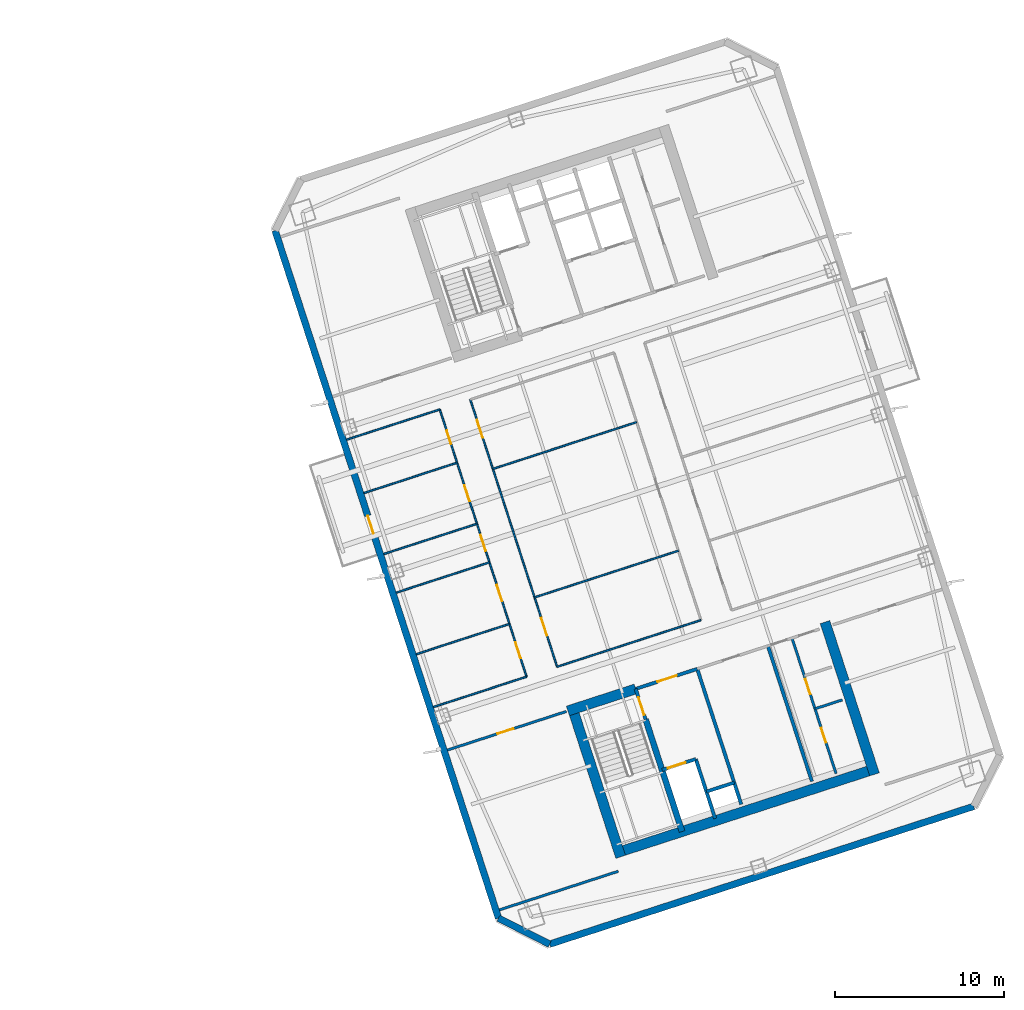
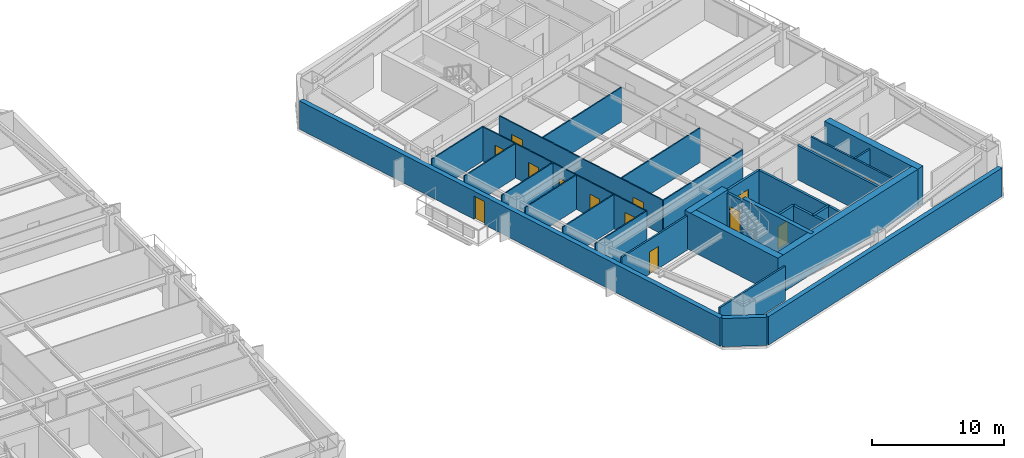
# One storey, part 8 of 17: 30 walls, 14 doors, 14 openings.
"""IFC4 building model written with IfcOpenShell, lengths in metres."""

from ifc_helpers import new_model, si_unit, direction, frame, frame_2d, origin, place, context, subcontext, project, spatial, rectangle, extrude, material, layer, layer_set, type_object, element, fill, save


model = new_model("IFC4")

# Units and contexts
model_context = context("Model", 3, precision=1e-05, world=origin(), true_north=direction((0.0, 1.0)))
body_context = subcontext(model_context, "Body", "Model", "MODEL_VIEW")
ifc_project = project(units=[si_unit("LENGTHUNIT", "METRE"), si_unit("AREAUNIT", "SQUARE_METRE"), si_unit("VOLUMEUNIT", "CUBIC_METRE"), si_unit("PLANEANGLEUNIT", "RADIAN"), si_unit("MASSUNIT", "GRAM", prefix="KILO")], contexts=[model_context])

# Site, building, storey
site_placement = place(None, origin())
site = spatial("IfcSite", under=ifc_project, at=site_placement, CompositionType="ELEMENT")
building_placement = place(site_placement, origin())
building = spatial("IfcBuilding", under=site, at=building_placement, Name="Qiaolan Cultural Towers", CompositionType="ELEMENT")
storey_placement = place(building_placement, frame((0.0, 0.0, 142.60009765625)))
storey = spatial("IfcBuildingStorey", under=building, at=storey_placement, Name="L37", CompositionType="ELEMENT", Elevation=142.60009765625)

# Walls
ifc_material_1 = material(Name="Concrete C50", Category="concrete")
ifc_layer_1 = layer(ifc_material_1, 0.35009765625)
ifc_layer_set_1 = layer_set([ifc_layer_1], Name="Concrete C50")
wall_type_1 = type_object("IfcWallType", Name="WL-CORE-350", PredefinedType="SHEAR", material=ifc_layer_set_1)
wall_1_placement = place(storey_placement, frame((90.486328125, 20.59423828125, 0.0), z_axis=(0.0, 0.0, 1.0), x_axis=(0.309020428229, -0.951055400562, 0.0)))
element("IfcWall", 1, at=wall_1_placement, inside=storey, type_object=wall_type_1, Name="L37 T2-CS Stair Core Dividing Web", PredefinedType="SHEAR", context=body_context, shape_type="SweptSolid", body=[
    extrude(rectangle(XDim=6.97998046875, YDim=0.35009765625, at=frame_2d((3.489990234375, 0.0))), origin(), (0.0, 0.0, 1.0), 3.449951171875),
])
ifc_material_2 = material(Name="Concrete C55", Category="concrete")
ifc_layer_2 = layer(ifc_material_2, 0.60009765625)
ifc_layer_set_2 = layer_set([ifc_layer_2], Name="Concrete C55")
wall_type_2 = type_object("IfcWallType", Name="WL-CORE-600", PredefinedType="SHEAR", material=ifc_layer_set_2)
wall_2_placement = place(storey_placement, frame((88.6298828125, 12.65185546875, 0.0), z_axis=(0.0, 0.0, 1.0), x_axis=(0.95105714907, 0.309015046886, 0.0)))
element("IfcWall", 2, at=wall_2_placement, inside=storey, type_object=wall_type_2, Name="L37 T2-CS Outer Core Shear Wall", PredefinedType="SHEAR", context=body_context, shape_type="SweptSolid", body=[
    extrude(rectangle(XDim=16.400146484375, YDim=0.60009765625, at=frame_2d((8.2001953125, 0.0))), origin(), (0.0, 0.0, 1.0), 3.449951171875),
])
wall_3_placement = place(storey_placement, frame((86.078369140625, 21.47509765625, 0.0), z_axis=(0.0, 0.0, 1.0), x_axis=(0.309017938678, -0.951056209472, 0.0)))
element("IfcWall", 3, at=wall_3_placement, inside=storey, type_object=wall_type_2, Name="L37 T2-CS West Core Shear Wall", PredefinedType="SHEAR", context=body_context, shape_type="SweptSolid", body=[
    extrude(rectangle(XDim=9.479736328125, YDim=0.60009765625, at=frame_2d((4.73974609375, 0.0))), origin(), (0.0, 0.0, 1.0), 3.449951171875),
])
wall_4_placement = place(storey_placement, frame((101.105224609375, 26.357666015625, 0.0), z_axis=(0.0, 0.0, 1.0), x_axis=(0.309010370028, -0.95105866865, 0.0)))
element("IfcWall", 4, at=wall_4_placement, inside=storey, type_object=wall_type_2, Name="L37 T2-CS East Core Shear Wall", PredefinedType="SHEAR", context=body_context, shape_type="SweptSolid", body=[
    extrude(rectangle(XDim=9.47998046875, YDim=0.60009765625, at=frame_2d((4.739990234375, 0.0))), origin(), (0.0, 0.0, 1.0), 3.449951171875),
])
wall_5_placement = place(storey_placement, frame((85.8857421875, 21.09716796875, 0.0), z_axis=(0.0, 0.0, 1.0), x_axis=(0.951068073652, 0.308981422225, 0.0)))
element("IfcWall", 5, at=wall_5_placement, inside=storey, type_object=wall_type_2, Name="L37 T2-CS Stair Front Shear Wall", PredefinedType="SHEAR", context=body_context, shape_type="SweptSolid", body=[
    extrude(rectangle(XDim=4.22021484375, YDim=0.60009765625, at=frame_2d((2.110107421875, 0.0))), origin(), (0.0, 0.0, 1.0), 3.449951171875),
])

# Wall, opening, door
ifc_material_3 = material(Name="Precast Concrete C50 Honed Stone Pier", Category="masonry")
ifc_layer_3 = layer(ifc_material_3, 0.39990234375)
ifc_layer_set_3 = layer_set([ifc_layer_3], Name="Precast Concrete C50 Honed Stone Pier")
wall_type_3 = type_object("IfcWallType", Name="WL-EXT-PIER-400", PredefinedType="SOLIDWALL", material=ifc_layer_set_3)
wall_6_placement = place(storey_placement, frame((81.7763671875, 8.82666015625, 0.0), z_axis=(0.0, 0.0, 1.0), x_axis=(-0.309014228706, 0.951057414911, 0.0)))
wall_6 = element("IfcWall", 6, at=wall_6_placement, inside=storey, type_object=wall_type_3, Name="L37 East Tower Precast Pier Facade Wall F1", PredefinedType="SOLIDWALL", context=body_context, shape_type="SweptSolid", body=[
    extrude(rectangle(XDim=42.800048828125, YDim=0.39990234375, at=frame_2d((21.39990234375, 0.0))), origin(), (0.0, 0.0, 1.0), 2.60986328125),
])
opening_1_placement = place(wall_6_placement, frame((23.949951171875, 0.0, 0.0)))
opening_1 = element("IfcOpeningElement", 7, at=opening_1_placement, cuts=wall_6, Name="Opening BD-01", PredefinedType="OPENING", context=body_context, shape_type="SweptSolid", body=[
    extrude(rectangle(XDim=1.10009765625, YDim=2.14990234375, at=frame_2d((0.550048828125, 1.074951171875))), frame((0.0, 0.2099609375, 0.0), z_axis=(0.0, -1.0, 0.0), x_axis=(1.0, 0.0, 0.0)), (0.0, 0.0, 1.0), 0.419921875),
])
ifc_material_4 = material(Name="Thermally Broken Aluminium Glazed Terrace Door", Category="aluminium")
door_type_1 = type_object("IfcDoorType", Name="DR-BAL-1100", OperationType="NOTDEFINED", PredefinedType="DOOR", material=ifc_material_4)
door_1_placement = place(opening_1_placement, origin())
door_1 = element("IfcDoor", 8, at=door_1_placement, inside=storey, type_object=door_type_1, Name="L37 T2 West Tree Balcony Door", OperationType="SINGLE_SWING_LEFT", OverallHeight=2.14990234375, OverallWidth=1.10009765625, PredefinedType="DOOR", context=body_context, shape_type="SweptSolid", body=[
    extrude(rectangle(XDim=1.10009765625, YDim=2.14990234375, at=frame_2d((0.550048828125, 1.074951171875))), frame((0.0, 0.02490234375, 0.0), z_axis=(0.0, -1.0, 0.0), x_axis=(1.0, 0.0, 0.0)), (0.0, 0.0, 1.0), 0.050048828125),
])
fill(opening_1, door_1)

# Walls
wall_7_placement = place(storey_placement, frame((109.908447265625, 15.44384765625, 0.0), z_axis=(0.0, 0.0, 1.0), x_axis=(-0.951057580055, -0.30901372044, 0.0)))
element("IfcWall", 9, at=wall_7_placement, inside=storey, type_object=wall_type_3, Name="L37 East Tower Precast Pier Facade Wall F7", PredefinedType="SOLIDWALL", context=body_context, shape_type="SweptSolid", body=[
    extrude(rectangle(XDim=26.39990234375, YDim=0.39990234375, at=frame_2d((13.199951171875, 0.0))), origin(), (0.0, 0.0, 1.0), 2.60986328125),
])
wall_8_placement = place(storey_placement, frame((84.800537109375, 7.285888671875, 0.0), z_axis=(0.0, 0.0, 1.0), x_axis=(-0.891020832027, 0.453962417932, 0.0)))
element("IfcWall", 10, at=wall_8_placement, inside=storey, type_object=wall_type_3, Name="L37 East Tower Precast Pier Facade Wall F8", PredefinedType="SOLIDWALL", context=body_context, shape_type="SweptSolid", body=[
    extrude(rectangle(XDim=3.39404296875, YDim=0.39990234375, at=frame_2d((1.697021484375, 0.0))), origin(), (0.0, 0.0, 1.0), 2.60986328125),
])

# Wall, opening, door
ifc_material_5 = material(Name="Concrete C35 Fire Wall", Category="concrete")
ifc_layer_4 = layer(ifc_material_5, 0.199951171875)
ifc_layer_set_4 = layer_set([ifc_layer_4], Name="Concrete C35 Fire Wall")
wall_type_4 = type_object("IfcWallType", Name="WL-FIRE-200", PredefinedType="PARTITIONING", material=ifc_layer_set_4)
wall_9_placement = place(storey_placement, frame((89.8994140625, 22.401123046875, 0.0), z_axis=(0.0, 0.0, 1.0), x_axis=(0.308932062672, -0.951084108086, 0.0)))
wall_9 = element("IfcWall", 11, at=wall_9_placement, inside=storey, type_object=wall_type_4, Name="L37 T2-CS Smokeproof Stair Entry Wall", PredefinedType="PARTITIONING", context=body_context, shape_type="SweptSolid", body=[
    extrude(rectangle(XDim=1.89990234375, YDim=0.199951171875, at=frame_2d((0.949951171875, 0.0))), origin(), (0.0, 0.0, 1.0), 3.1748046875),
])
opening_2_placement = place(wall_9_placement, frame((0.52001953125, 0.0, 0.0)))
opening_2 = element("IfcOpeningElement", 12, at=opening_2_placement, cuts=wall_9, Name="Opening FD-04", PredefinedType="OPENING", context=body_context, shape_type="SweptSolid", body=[
    extrude(rectangle(XDim=1.10009765625, YDim=2.050048828125, at=frame_2d((0.550048828125, 1.02490234375))), frame((0.0, 0.10986328125, 0.0), z_axis=(0.0, -1.0, 0.0), x_axis=(1.0, 0.0, 0.0)), (0.0, 0.0, 1.0), 0.219970703125),
])
ifc_material_6 = material(Name="Galvanized Steel Command Fire Door", Category="steel")
door_type_2 = type_object("IfcDoorType", Name="DR-FD90-1100", OperationType="NOTDEFINED", PredefinedType="DOOR", material=ifc_material_6)
door_2_placement = place(opening_2_placement, origin())
door_2 = element("IfcDoor", 13, at=door_2_placement, inside=storey, type_object=door_type_2, Name="L37 ST-E1 Smokeproof Stair Fire Door", OperationType="SINGLE_SWING_LEFT", OverallHeight=2.050048828125, OverallWidth=1.10009765625, PredefinedType="DOOR", context=body_context, shape_type="SweptSolid", body=[
    extrude(rectangle(XDim=1.10009765625, YDim=2.050048828125, at=frame_2d((0.550048828125, 1.02490234375))), frame((0.0, 0.02490234375, 0.0), z_axis=(0.0, -1.0, 0.0), x_axis=(1.0, 0.0, 0.0)), (0.0, 0.0, 1.0), 0.050048828125),
])
fill(opening_2, door_2)

# Wall
wall_10_placement = place(storey_placement, frame((93.541748046875, 23.584716796875, 0.0), z_axis=(0.0, 0.0, 1.0), x_axis=(0.309042196757, -0.951048327176, 0.0)))
element("IfcWall", 14, at=wall_10_placement, inside=storey, type_object=wall_type_4, Name="L37 T2-CS Firefighting Zone Wall", PredefinedType="PARTITIONING", context=body_context, shape_type="SweptSolid", body=[
    extrude(rectangle(XDim=8.429931640625, YDim=0.199951171875, at=frame_2d((4.21484375, 0.0))), origin(), (0.0, 0.0, 1.0), 3.1748046875),
])

# Wall, opening, door
wall_11_placement = place(storey_placement, frame((89.8994140625, 22.401123046875, 0.0), z_axis=(0.0, 0.0, 1.0), x_axis=(0.951046716504, 0.309047153403, 0.0)))
wall_11 = element("IfcWall", 15, at=wall_11_placement, inside=storey, type_object=wall_type_4, Name="L37 T2-CS Firefighting Lobby Front Wall", PredefinedType="PARTITIONING", context=body_context, shape_type="SweptSolid", body=[
    extrude(rectangle(XDim=3.829833984375, YDim=0.199951171875, at=frame_2d((1.9150390625, 0.0))), origin(), (0.0, 0.0, 1.0), 3.1748046875),
])
opening_3_placement = place(wall_11_placement, frame((1.35009765625, 0.0, 0.0)))
opening_3 = element("IfcOpeningElement", 16, at=opening_3_placement, cuts=wall_11, Name="Opening FD-03", PredefinedType="OPENING", context=body_context, shape_type="SweptSolid", body=[
    extrude(rectangle(XDim=1.199951171875, YDim=2.050048828125, at=frame_2d((0.60009765625, 1.02490234375))), frame((0.0, 0.10986328125, 0.0), z_axis=(0.0, -1.0, 0.0), x_axis=(1.0, 0.0, 0.0)), (0.0, 0.0, 1.0), 0.219970703125),
])
ifc_material_7 = material(Name="Galvanized Steel Smokeproof Lobby Fire Door", Category="steel")
door_type_3 = type_object("IfcDoorType", Name="DR-FD90-1200", OperationType="NOTDEFINED", PredefinedType="DOOR", material=ifc_material_7)
door_3_placement = place(opening_3_placement, origin())
door_3 = element("IfcDoor", 17, at=door_3_placement, inside=storey, type_object=door_type_3, Name="L37 FFL-E1 Firefighting Lobby Fire Door", OperationType="SINGLE_SWING_LEFT", OverallHeight=2.050048828125, OverallWidth=1.199951171875, PredefinedType="DOOR", context=body_context, shape_type="SweptSolid", body=[
    extrude(rectangle(XDim=1.199951171875, YDim=2.050048828125, at=frame_2d((0.60009765625, 1.02490234375))), frame((0.0, 0.02490234375, 0.0), z_axis=(0.0, -1.0, 0.0), x_axis=(1.0, 0.0, 0.0)), (0.0, 0.0, 1.0), 0.050048828125),
])
fill(opening_3, door_3)

wall_12_placement = place(storey_placement, frame((91.459716796875, 17.598388671875, 0.0), z_axis=(0.0, 0.0, 1.0), x_axis=(0.951062257173, 0.308999325213, 0.0)))
wall_12 = element("IfcWall", 18, at=wall_12_placement, inside=storey, type_object=wall_type_4, Name="L37 T2-CS Firefighting Shaft Front Wall", PredefinedType="PARTITIONING", context=body_context, shape_type="SweptSolid", body=[
    extrude(rectangle(XDim=2.10009765625, YDim=0.199951171875, at=frame_2d((1.050048828125, 0.0))), origin(), (0.0, 0.0, 1.0), 3.1748046875),
])
opening_4_placement = place(wall_12_placement, frame((0.35009765625, 0.0, 0.0)))
opening_4 = element("IfcOpeningElement", 19, at=opening_4_placement, cuts=wall_12, Name="Opening LD-01", PredefinedType="OPENING", context=body_context, shape_type="SweptSolid", body=[
    extrude(rectangle(XDim=1.10009765625, YDim=2.050048828125, at=frame_2d((0.550048828125, 1.02490234375))), frame((0.0, 0.10986328125, 0.0), z_axis=(0.0, -1.0, 0.0), x_axis=(1.0, 0.0, 0.0)), (0.0, 0.0, 1.0), 0.219970703125),
])
ifc_material_8 = material(Name="Brushed Stainless Steel S30408 Centre-Parting Lift Landing Door", Category="steel")
door_type_4 = type_object("IfcDoorType", Name="DR-LIFT-1100", OperationType="NOTDEFINED", PredefinedType="DOOR", material=ifc_material_8)
door_4_placement = place(opening_4_placement, origin())
door_4 = element("IfcDoor", 20, at=door_4_placement, inside=storey, type_object=door_type_4, Name="L37 FFL-E1 Firefighting Lift Landing Door", OperationType="DOUBLE_DOOR_SLIDING", OverallHeight=2.050048828125, OverallWidth=1.10009765625, PredefinedType="DOOR", context=body_context, shape_type="SweptSolid", body=[
    extrude(rectangle(XDim=1.10009765625, YDim=2.050048828125, at=frame_2d((0.550048828125, 1.02490234375))), frame((0.0, 0.02490234375, 0.0), z_axis=(0.0, -1.0, 0.0), x_axis=(1.0, 0.0, 0.0)), (0.0, 0.0, 1.0), 0.050048828125),
])
fill(opening_4, door_4)

# Walls
wall_13_placement = place(storey_placement, frame((93.45703125, 18.247314453125, 0.0), z_axis=(0.0, 0.0, 1.0), x_axis=(0.3089935693, -0.951064127245, 0.0)))
element("IfcWall", 21, at=wall_13_placement, inside=storey, type_object=wall_type_4, Name="L37 T2-CS Firefighting Hoistway East Wall", PredefinedType="PARTITIONING", context=body_context, shape_type="SweptSolid", body=[
    extrude(rectangle(XDim=3.7001953125, YDim=0.199951171875, at=frame_2d((1.85009765625, 0.0))), origin(), (0.0, 0.0, 1.0), 3.1748046875),
])
wall_14_placement = place(storey_placement, frame((94.08447265625, 16.316650390625, 0.0), z_axis=(0.0, 0.0, 1.0), x_axis=(0.951041328149, 0.309063734775, 0.0)))
element("IfcWall", 22, at=wall_14_placement, inside=storey, type_object=wall_type_4, Name="L37 T2-CS Pressurization Shaft Front Wall", PredefinedType="PARTITIONING", context=body_context, shape_type="SweptSolid", body=[
    extrude(rectangle(XDim=1.72998046875, YDim=0.199951171875, at=frame_2d((0.864990234375, 0.0))), origin(), (0.0, 0.0, 1.0), 3.1748046875),
])
wall_15_placement = place(storey_placement, frame((97.7265625, 24.9443359375, 0.0), z_axis=(0.0, 0.0, 1.0), x_axis=(0.309016001439, -0.951056838919, 0.0)))
element("IfcWall", 23, at=wall_15_placement, inside=storey, type_object=wall_type_4, Name="L37 T2-CS Lift Core East Wall", PredefinedType="PARTITIONING", context=body_context, shape_type="SweptSolid", body=[
    extrude(rectangle(XDim=8.429931640625, YDim=0.199951171875, at=frame_2d((4.21484375, 0.0))), origin(), (0.0, 0.0, 1.0), 3.1748046875),
])
ifc_material_9 = material(Name="Acoustic Double-Glazed Partition Frame", Category="glass")
ifc_layer_5 = layer(ifc_material_9, 0.10009765625)
ifc_layer_set_5 = layer_set([ifc_layer_5], Name="Acoustic Double-Glazed Partition Frame")
wall_type_5 = type_object("IfcWallType", Name="WL-GLAZED-100", PredefinedType="MOVABLE", material=ifc_layer_set_5)
wall_16_placement = place(storey_placement, frame((77.9248046875, 21.328369140625, 0.0), z_axis=(0.0, 0.0, 1.0), x_axis=(0.951059431056, 0.309008023519, 0.0)))
element("IfcWall", 24, at=wall_16_placement, inside=storey, type_object=wall_type_5, Name="L37 T2 Interior Wall", PredefinedType="MOVABLE", context=body_context, shape_type="SweptSolid", body=[
    extrude(rectangle(XDim=5.800048828125, YDim=0.10009765625, at=frame_2d((2.89990234375, 0.0))), origin(), (0.0, 0.0, 1.0), 3.1748046875),
])
wall_17_placement = place(storey_placement, frame((85.247802734375, 23.707763671875, 0.0), z_axis=(0.0, 0.0, 1.0), x_axis=(0.951059123431, 0.309008970321, 0.0)))
element("IfcWall", 25, at=wall_17_placement, inside=storey, type_object=wall_type_5, Name="L37 T2 Interior Wall", PredefinedType="MOVABLE", context=body_context, shape_type="SweptSolid", body=[
    extrude(rectangle(XDim=8.949951171875, YDim=0.10009765625, at=frame_2d((4.47509765625, 0.0))), origin(), (0.0, 0.0, 1.0), 3.1748046875),
])
wall_18_placement = place(storey_placement, frame((72.78271484375, 37.15380859375, 0.0), z_axis=(0.0, 0.0, 1.0), x_axis=(0.951047059821, 0.309046096893, 0.0)))
element("IfcWall", 26, at=wall_18_placement, inside=storey, type_object=wall_type_5, Name="L37 T2 Interior Wall", PredefinedType="MOVABLE", context=body_context, shape_type="SweptSolid", body=[
    extrude(rectangle(XDim=5.800048828125, YDim=0.10009765625, at=frame_2d((2.89990234375, 0.0))), origin(), (0.0, 0.0, 1.0), 3.1748046875),
])

# Wall, openings, doors
wall_19_placement = place(storey_placement, frame((83.44091796875, 23.12060546875, 0.0), z_axis=(0.0, 0.0, 1.0), x_axis=(-0.30901773025, 0.951056277195, 0.0)))
wall_19 = element("IfcWall", 27, at=wall_19_placement, inside=storey, type_object=wall_type_5, Name="L37 T2 Interior Wall", PredefinedType="MOVABLE", context=body_context, shape_type="SweptSolid", body=[
    extrude(rectangle(XDim=16.64013671875, YDim=0.10009765625, at=frame_2d((8.320068359375, 0.0))), origin(), (0.0, 0.0, 1.0), 3.1748046875),
])
opening_5_placement = place(wall_19_placement, frame((1.143310546875, 0.0, 0.0)))
opening_5 = element("IfcOpeningElement", 28, at=opening_5_placement, cuts=wall_19, Name="Opening ID-04", PredefinedType="OPENING", context=body_context, shape_type="SweptSolid", body=[
    extrude(rectangle(XDim=1.0, YDim=2.050048828125, at=frame_2d((0.5, 1.02490234375))), frame((0.0, 0.06005859375, 0.0), z_axis=(0.0, -1.0, 0.0), x_axis=(1.0, 0.0, 0.0)), (0.0, 0.0, 1.0), 0.1201171875),
])
opening_6_placement = place(wall_19_placement, frame((4.703369140625, 0.0, 0.0)))
opening_6 = element("IfcOpeningElement", 29, at=opening_6_placement, cuts=wall_19, Name="Opening ID-04", PredefinedType="OPENING", context=body_context, shape_type="SweptSolid", body=[
    extrude(rectangle(XDim=1.0, YDim=2.050048828125, at=frame_2d((0.5, 1.02490234375))), frame((0.0, 0.06005859375, 0.0), z_axis=(0.0, -1.0, 0.0), x_axis=(1.0, 0.0, 0.0)), (0.0, 0.0, 1.0), 0.1201171875),
])
opening_7_placement = place(wall_19_placement, frame((7.820068359375, 0.0, 0.0)))
opening_7 = element("IfcOpeningElement", 30, at=opening_7_placement, cuts=wall_19, Name="Opening ID-04", PredefinedType="OPENING", context=body_context, shape_type="SweptSolid", body=[
    extrude(rectangle(XDim=1.0, YDim=2.050048828125, at=frame_2d((0.5, 1.02490234375))), frame((0.0, 0.06005859375, 0.0), z_axis=(0.0, -1.0, 0.0), x_axis=(1.0, 0.0, 0.0)), (0.0, 0.0, 1.0), 0.1201171875),
])
opening_8_placement = place(wall_19_placement, frame((10.919921875, 0.0, 0.0)))
opening_8 = element("IfcOpeningElement", 31, at=opening_8_placement, cuts=wall_19, Name="Opening ID-04", PredefinedType="OPENING", context=body_context, shape_type="SweptSolid", body=[
    extrude(rectangle(XDim=1.0, YDim=2.050048828125, at=frame_2d((0.5, 1.02490234375))), frame((0.0, 0.06005859375, 0.0), z_axis=(0.0, -1.0, 0.0), x_axis=(1.0, 0.0, 0.0)), (0.0, 0.0, 1.0), 0.1201171875),
])
opening_9_placement = place(wall_19_placement, frame((14.47998046875, 0.0, 0.0)))
opening_9 = element("IfcOpeningElement", 32, at=opening_9_placement, cuts=wall_19, Name="Opening ID-09", PredefinedType="OPENING", context=body_context, shape_type="SweptSolid", body=[
    extrude(rectangle(XDim=0.85009765625, YDim=2.050048828125, at=frame_2d((0.425048828125, 1.02490234375))), frame((0.0, 0.06005859375, 0.0), z_axis=(0.0, -1.0, 0.0), x_axis=(1.0, 0.0, 0.0)), (0.0, 0.0, 1.0), 0.1201171875),
])
ifc_material_10 = material(Name="Oak Veneer Acoustic Office Door", Category="timber")
door_type_5 = type_object("IfcDoorType", Name="DR-INT-1000", OperationType="NOTDEFINED", PredefinedType="DOOR", material=ifc_material_10)
door_5_placement = place(opening_5_placement, origin())
door_5 = element("IfcDoor", 33, at=door_5_placement, inside=storey, type_object=door_type_5, Name="L37 T2 Civic Planning Office Door", OperationType="SINGLE_SWING_LEFT", OverallHeight=2.050048828125, OverallWidth=1.0, PredefinedType="DOOR", context=body_context, shape_type="SweptSolid", body=[
    extrude(rectangle(XDim=1.0, YDim=2.050048828125, at=frame_2d((0.5, 1.02490234375))), frame((0.0, 0.02490234375, 0.0), z_axis=(0.0, -1.0, 0.0), x_axis=(1.0, 0.0, 0.0)), (0.0, 0.0, 1.0), 0.050048828125),
])
fill(opening_5, door_5)
door_6_placement = place(opening_6_placement, origin())
door_6 = element("IfcDoor", 34, at=door_6_placement, inside=storey, type_object=door_type_5, Name="L37 T2 Civic Planning Office Door", OperationType="SINGLE_SWING_RIGHT", OverallHeight=2.050048828125, OverallWidth=1.0, PredefinedType="DOOR", context=body_context, shape_type="SweptSolid", body=[
    extrude(rectangle(XDim=1.0, YDim=2.050048828125, at=frame_2d((0.5, 1.02490234375))), frame((0.0, 0.02490234375, 0.0), z_axis=(0.0, -1.0, 0.0), x_axis=(1.0, 0.0, 0.0)), (0.0, 0.0, 1.0), 0.050048828125),
])
fill(opening_6, door_6)
door_7_placement = place(opening_7_placement, origin())
door_7 = element("IfcDoor", 35, at=door_7_placement, inside=storey, type_object=door_type_5, Name="L37 T2 Design Review Room Door", OperationType="SINGLE_SWING_LEFT", OverallHeight=2.050048828125, OverallWidth=1.0, PredefinedType="DOOR", context=body_context, shape_type="SweptSolid", body=[
    extrude(rectangle(XDim=1.0, YDim=2.050048828125, at=frame_2d((0.5, 1.02490234375))), frame((0.0, 0.02490234375, 0.0), z_axis=(0.0, -1.0, 0.0), x_axis=(1.0, 0.0, 0.0)), (0.0, 0.0, 1.0), 0.050048828125),
])
fill(opening_7, door_7)
door_8_placement = place(opening_8_placement, origin())
door_8 = element("IfcDoor", 36, at=door_8_placement, inside=storey, type_object=door_type_5, Name="L37 T2 Design Review Room Door", OperationType="SINGLE_SWING_RIGHT", OverallHeight=2.050048828125, OverallWidth=1.0, PredefinedType="DOOR", context=body_context, shape_type="SweptSolid", body=[
    extrude(rectangle(XDim=1.0, YDim=2.050048828125, at=frame_2d((0.5, 1.02490234375))), frame((0.0, 0.02490234375, 0.0), z_axis=(0.0, -1.0, 0.0), x_axis=(1.0, 0.0, 0.0)), (0.0, 0.0, 1.0), 0.050048828125),
])
fill(opening_8, door_8)
ifc_material_11 = material(Name="Moisture-Resistant Laminate Utility Door", Category="timber")
door_type_6 = type_object("IfcDoorType", Name="DR-INT-850", OperationType="NOTDEFINED", PredefinedType="DOOR", material=ifc_material_11)
door_9_placement = place(opening_9_placement, origin())
door_9 = element("IfcDoor", 37, at=door_9_placement, inside=storey, type_object=door_type_6, Name="L37 T2 Pantry Door", OperationType="SINGLE_SWING_LEFT", OverallHeight=2.050048828125, OverallWidth=0.85009765625, PredefinedType="DOOR", context=body_context, shape_type="SweptSolid", body=[
    extrude(rectangle(XDim=0.85009765625, YDim=2.050048828125, at=frame_2d((0.425048828125, 1.02490234375))), frame((0.0, 0.02490234375, 0.0), z_axis=(0.0, -1.0, 0.0), x_axis=(1.0, 0.0, 0.0)), (0.0, 0.0, 1.0), 0.050048828125),
])
fill(opening_9, door_9)

wall_20_placement = place(storey_placement, frame((85.247802734375, 23.707763671875, 0.0), z_axis=(0.0, 0.0, 1.0), x_axis=(-0.309004459387, 0.951060589068, 0.0)))
wall_20 = element("IfcWall", 38, at=wall_20_placement, inside=storey, type_object=wall_type_5, Name="L37 T2 Interior Wall", PredefinedType="MOVABLE", context=body_context, shape_type="SweptSolid", body=[
    extrude(rectangle(XDim=16.64013671875, YDim=0.10009765625, at=frame_2d((8.320068359375, 0.0))), origin(), (0.0, 0.0, 1.0), 3.1748046875),
])
opening_10_placement = place(wall_20_placement, frame((1.944091796875, 0.0, 0.0)))
opening_10 = element("IfcOpeningElement", 39, at=opening_10_placement, cuts=wall_20, Name="Opening ID-03", PredefinedType="OPENING", context=body_context, shape_type="SweptSolid", body=[
    extrude(rectangle(XDim=1.10009765625, YDim=2.050048828125, at=frame_2d((0.550048828125, 1.02490234375))), frame((0.0, 0.06005859375, 0.0), z_axis=(0.0, -1.0, 0.0), x_axis=(1.0, 0.0, 0.0)), (0.0, 0.0, 1.0), 0.1201171875),
])
opening_11_placement = place(wall_20_placement, frame((14.263916015625, 0.0, 0.0)))
opening_11 = element("IfcOpeningElement", 40, at=opening_11_placement, cuts=wall_20, Name="Opening ID-03", PredefinedType="OPENING", context=body_context, shape_type="SweptSolid", body=[
    extrude(rectangle(XDim=1.10009765625, YDim=2.050048828125, at=frame_2d((0.550048828125, 1.02490234375))), frame((0.0, 0.06005859375, 0.0), z_axis=(0.0, -1.0, 0.0), x_axis=(1.0, 0.0, 0.0)), (0.0, 0.0, 1.0), 0.1201171875),
])
ifc_material_12 = material(Name="Oak Veneer Solid-Core Boardroom Door", Category="timber")
door_type_7 = type_object("IfcDoorType", Name="DR-INT-1100", OperationType="NOTDEFINED", PredefinedType="DOOR", material=ifc_material_12)
door_10_placement = place(opening_10_placement, origin())
door_10 = element("IfcDoor", 41, at=door_10_placement, inside=storey, type_object=door_type_7, Name="L37 T2 Central Boardroom Door", OperationType="SINGLE_SWING_LEFT", OverallHeight=2.050048828125, OverallWidth=1.10009765625, PredefinedType="DOOR", context=body_context, shape_type="SweptSolid", body=[
    extrude(rectangle(XDim=1.10009765625, YDim=2.050048828125, at=frame_2d((0.550048828125, 1.02490234375))), frame((0.0, 0.02490234375, 0.0), z_axis=(0.0, -1.0, 0.0), x_axis=(1.0, 0.0, 0.0)), (0.0, 0.0, 1.0), 0.050048828125),
])
fill(opening_10, door_10)
door_11_placement = place(opening_11_placement, origin())
door_11 = element("IfcDoor", 42, at=door_11_placement, inside=storey, type_object=door_type_7, Name="L37 T2 Central Archive Room Door", OperationType="SINGLE_SWING_RIGHT", OverallHeight=2.050048828125, OverallWidth=1.10009765625, PredefinedType="DOOR", context=body_context, shape_type="SweptSolid", body=[
    extrude(rectangle(XDim=1.10009765625, YDim=2.050048828125, at=frame_2d((0.550048828125, 1.02490234375))), frame((0.0, 0.02490234375, 0.0), z_axis=(0.0, -1.0, 0.0), x_axis=(1.0, 0.0, 0.0)), (0.0, 0.0, 1.0), 0.050048828125),
])
fill(opening_11, door_11)

# Walls
wall_21_placement = place(storey_placement, frame((83.912841796875, 27.81640625, 0.0), z_axis=(0.0, 0.0, 1.0), x_axis=(0.951059123431, 0.309008970321, 0.0)))
element("IfcWall", 43, at=wall_21_placement, inside=storey, type_object=wall_type_5, Name="L37 T2 Interior Wall", PredefinedType="MOVABLE", context=body_context, shape_type="SweptSolid", body=[
    extrude(rectangle(XDim=8.949951171875, YDim=0.10009765625, at=frame_2d((4.47509765625, 0.0))), origin(), (0.0, 0.0, 1.0), 3.1748046875),
])
wall_22_placement = place(storey_placement, frame((81.44091796875, 35.4248046875, 0.0), z_axis=(0.0, 0.0, 1.0), x_axis=(0.951056518616, 0.309016987233, 0.0)))
element("IfcWall", 44, at=wall_22_placement, inside=storey, type_object=wall_type_5, Name="L37 T2 Interior Wall", PredefinedType="MOVABLE", context=body_context, shape_type="SweptSolid", body=[
    extrude(rectangle(XDim=8.94970703125, YDim=0.10009765625, at=frame_2d((4.474853515625, 0.0))), origin(), (0.0, 0.0, 1.0), 3.1748046875),
])
for number, where, z_axis, x_axis, name in (
    (45, (76.9091796875, 24.4541015625, 0.0), (0.0, 0.0, 1.0), (0.951059431056, 0.309008023519, 0.0), "L37 T2 Interior Wall"),
    (46, (75.724609375, 28.099853515625, 0.0), (0.0, 0.0, 1.0), (0.951059431056, 0.309008023519, 0.0), "L37 T2 Interior Wall"),
    (47, (74.98291015625, 30.38232421875, 0.0), (0.0, 0.0, 1.0), (0.951047059821, 0.309046096893, 0.0), "L37 T2 Interior Wall"),
    (48, (73.80859375, 33.996337890625, 0.0), (0.0, 0.0, 1.0), (0.951047059821, 0.309046096893, 0.0), "L37 T2 Interior Wall"),
):
    element("IfcWall", number, at=place(storey_placement, frame(where, z_axis=z_axis, x_axis=x_axis)), inside=storey, type_object=wall_type_5, Name=name, PredefinedType="MOVABLE", context=body_context, shape_type="SweptSolid", body=[
        extrude(rectangle(XDim=5.800048828125, YDim=0.10009765625, at=frame_2d((2.89990234375, 0.0))), origin(), (0.0, 0.0, 1.0), 3.1748046875),
    ])

# Wall, openings, doors
ifc_material_13 = material(Name="Autoclaved Aerated Concrete Block B06", Category="concrete")
ifc_layer_6 = layer(ifc_material_13, 0.14990234375)
ifc_layer_set_6 = layer_set([ifc_layer_6], Name="Autoclaved Aerated Concrete Block B06")
wall_type_6 = type_object("IfcWallType", Name="WL-PART-150", PredefinedType="PARTITIONING", material=ifc_layer_set_6)
wall_23_placement = place(storey_placement, frame((99.153076171875, 25.407958984375, 0.0), z_axis=(0.0, 0.0, 1.0), x_axis=(0.309016001439, -0.951056838919, 0.0)))
wall_23 = element("IfcWall", 49, at=wall_23_placement, inside=storey, type_object=wall_type_6, Name="L37 T2-CS Sanitary Corridor Wall", PredefinedType="PARTITIONING", context=body_context, shape_type="SweptSolid", body=[
    extrude(rectangle(XDim=8.429931640625, YDim=0.14990234375, at=frame_2d((4.21484375, 0.0))), origin(), (0.0, 0.0, 1.0), 3.1748046875),
])
opening_12_placement = place(wall_23_placement, frame((2.550048828125, 0.0, 0.0)))
opening_12 = element("IfcOpeningElement", 50, at=opening_12_placement, cuts=wall_23, Name="Opening ID-05", PredefinedType="OPENING", context=body_context, shape_type="SweptSolid", body=[
    extrude(rectangle(XDim=0.949951171875, YDim=2.050048828125, at=frame_2d((0.47509765625, 1.02490234375))), frame((0.0, 0.0849609375, 0.0), z_axis=(0.0, -1.0, 0.0), x_axis=(1.0, 0.0, 0.0)), (0.0, 0.0, 1.0), 0.169921875),
])
opening_13_placement = place(wall_23_placement, frame((5.60009765625, 0.0, 0.0)))
opening_13 = element("IfcOpeningElement", 51, at=opening_13_placement, cuts=wall_23, Name="Opening ID-06", PredefinedType="OPENING", context=body_context, shape_type="SweptSolid", body=[
    extrude(rectangle(XDim=0.89990234375, YDim=2.050048828125, at=frame_2d((0.449951171875, 1.02490234375))), frame((0.0, 0.0849609375, 0.0), z_axis=(0.0, -1.0, 0.0), x_axis=(1.0, 0.0, 0.0)), (0.0, 0.0, 1.0), 0.169921875),
])
ifc_material_14 = material(Name="Fire-Rated Laminate Core Service Door", Category="timber")
door_type_8 = type_object("IfcDoorType", Name="DR-INT-900", OperationType="NOTDEFINED", PredefinedType="DOOR", material=ifc_material_14)
door_12_placement = place(opening_13_placement, origin())
door_12 = element("IfcDoor", 52, at=door_12_placement, inside=storey, type_object=door_type_8, Name="L37 Staff Restroom Door", OperationType="SINGLE_SWING_RIGHT", OverallHeight=2.050048828125, OverallWidth=0.89990234375, PredefinedType="DOOR", context=body_context, shape_type="SweptSolid", body=[
    extrude(rectangle(XDim=0.89990234375, YDim=2.050048828125, at=frame_2d((0.449951171875, 1.02490234375))), frame((0.0, 0.02490234375, 0.0), z_axis=(0.0, -1.0, 0.0), x_axis=(1.0, 0.0, 0.0)), (0.0, 0.0, 1.0), 0.050048828125),
])
fill(opening_13, door_12)
ifc_material_15 = material(Name="Fire-Rated Laminate Accessible Core Door", Category="timber")
door_type_9 = type_object("IfcDoorType", Name="DR-INT-950", OperationType="NOTDEFINED", PredefinedType="DOOR", material=ifc_material_15)
door_13_placement = place(opening_12_placement, origin())
door_13 = element("IfcDoor", 53, at=door_13_placement, inside=storey, type_object=door_type_9, Name="L37 Accessible Washroom Door", OperationType="SINGLE_SWING_LEFT", OverallHeight=2.050048828125, OverallWidth=0.949951171875, PredefinedType="DOOR", context=body_context, shape_type="SweptSolid", body=[
    extrude(rectangle(XDim=0.949951171875, YDim=2.050048828125, at=frame_2d((0.47509765625, 1.02490234375))), frame((0.0, 0.02490234375, 0.0), z_axis=(0.0, -1.0, 0.0), x_axis=(1.0, 0.0, 0.0)), (0.0, 0.0, 1.0), 0.050048828125),
])
fill(opening_12, door_13)

# Walls
wall_24_placement = place(storey_placement, frame((100.5126953125, 21.223388671875, 0.0), z_axis=(0.0, 0.0, 1.0), x_axis=(0.951096313471, 0.308894484414, 0.0)))
element("IfcWall", 54, at=wall_24_placement, inside=storey, type_object=wall_type_6, Name="L37 T2-CS Restroom Split Wall", PredefinedType="PARTITIONING", context=body_context, shape_type="SweptSolid", body=[
    extrude(rectangle(XDim=1.7001953125, YDim=0.14990234375, at=frame_2d((0.85009765625, 0.0))), origin(), (0.0, 0.0, 1.0), 3.1748046875),
])
wall_25_placement = place(storey_placement, frame((81.82763671875, 9.31640625, 0.0), z_axis=(0.0, 0.0, 1.0), x_axis=(0.95105128112, 0.309033106124, 0.0)))
element("IfcWall", 55, at=wall_25_placement, inside=storey, type_object=wall_type_6, Name="L37 T2 Flank Wall FLK-SW", PredefinedType="PARTITIONING", context=body_context, shape_type="SweptSolid", body=[
    extrude(rectangle(XDim=7.400146484375, YDim=0.14990234375, at=frame_2d((3.7001953125, 0.0))), origin(), (0.0, 0.0, 1.0), 3.1748046875),
])

# Wall, opening, door
wall_26_placement = place(storey_placement, frame((78.7529296875, 18.779541015625, 0.0), z_axis=(0.0, 0.0, 1.0), x_axis=(0.951060977215, 0.309003264738, 0.0)))
wall_26 = element("IfcWall", 56, at=wall_26_placement, inside=storey, type_object=wall_type_6, Name="L37 T2 Flank Front FLK-SW", PredefinedType="PARTITIONING", context=body_context, shape_type="SweptSolid", body=[
    extrude(rectangle(XDim=7.39990234375, YDim=0.14990234375, at=frame_2d((3.699951171875, 0.0))), origin(), (0.0, 0.0, 1.0), 3.1748046875),
])
opening_14_placement = place(wall_26_placement, frame((3.10791015625, 0.0, 0.0)))
opening_14 = element("IfcOpeningElement", 57, at=opening_14_placement, cuts=wall_26, Name="Opening ID-04", PredefinedType="OPENING", context=body_context, shape_type="SweptSolid", body=[
    extrude(rectangle(XDim=1.0, YDim=2.050048828125, at=frame_2d((0.5, 1.02490234375))), frame((0.0, 0.0849609375, 0.0), z_axis=(0.0, -1.0, 0.0), x_axis=(1.0, 0.0, 0.0)), (0.0, 0.0, 1.0), 0.169921875),
])
door_14_placement = place(opening_14_placement, origin())
door_14 = element("IfcDoor", 58, at=door_14_placement, inside=storey, type_object=door_type_5, Name="L37 T2 Corner Studio Door", OperationType="SINGLE_SWING_LEFT", OverallHeight=2.050048828125, OverallWidth=1.0, PredefinedType="DOOR", context=body_context, shape_type="SweptSolid", body=[
    extrude(rectangle(XDim=1.0, YDim=2.050048828125, at=frame_2d((0.5, 1.02490234375))), frame((0.0, 0.02490234375, 0.0), z_axis=(0.0, -1.0, 0.0), x_axis=(1.0, 0.0, 0.0)), (0.0, 0.0, 1.0), 0.050048828125),
])
fill(opening_14, door_14)

save(model, "model.ifc")
